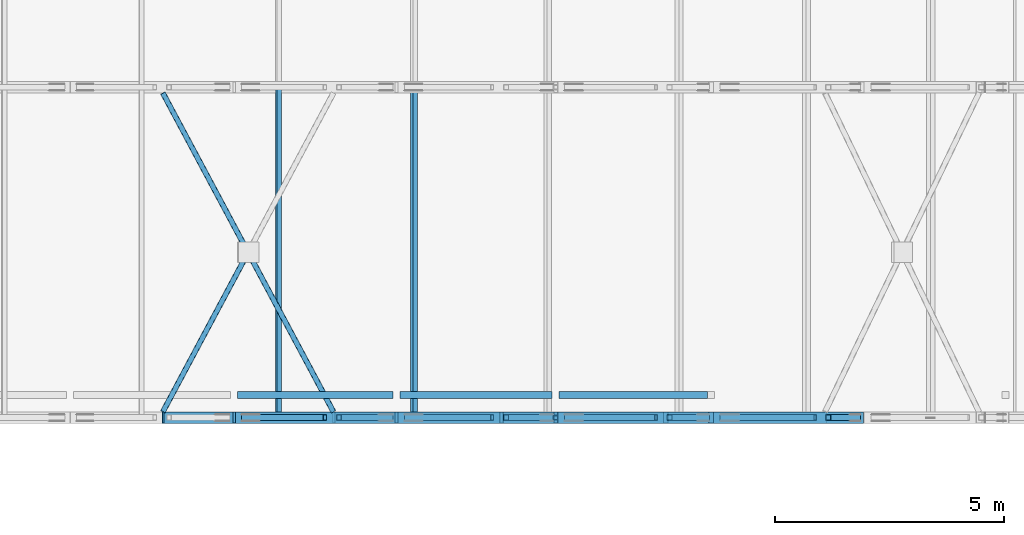
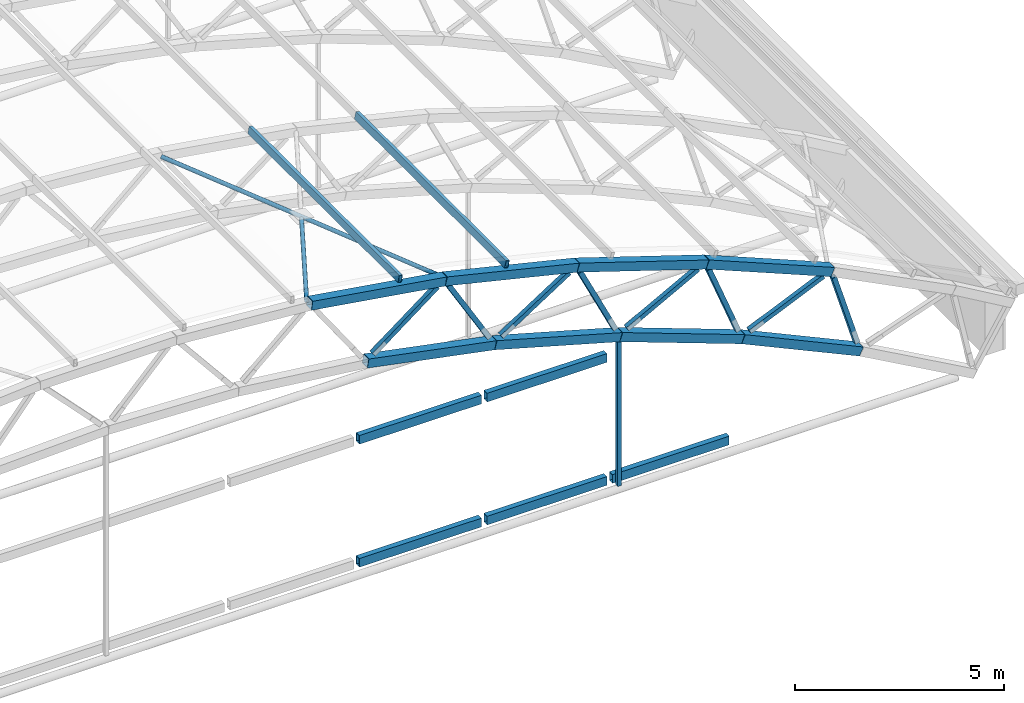
# One storey, part 16 of 127: 21 members, 5 beams.
"""IFC4 building model written with IfcOpenShell, lengths in metres."""

from ifc_helpers import new_model, si_unit, direction, frame, origin, origin_2d, place, context, subcontext, project, spatial, hollow_rectangle, hollow_circle, extrude, material, material_profile, profile_set, type_object, element, save


model = new_model("IFC4")

# Units and contexts
model_context = context("Model", 3, precision=1e-05, world=origin(), true_north=direction((0.0, 1.0)))
body_context = subcontext(model_context, "Body", "Model", "MODEL_VIEW")
ifc_project = project(units=[si_unit("LENGTHUNIT", "METRE"), si_unit("AREAUNIT", "SQUARE_METRE"), si_unit("VOLUMEUNIT", "CUBIC_METRE"), si_unit("PLANEANGLEUNIT", "RADIAN"), si_unit("MASSUNIT", "GRAM", prefix="KILO")], contexts=[model_context])

# Site, building, storey
site_placement = place(None, origin())
site = spatial("IfcSite", under=ifc_project, at=site_placement, CompositionType="ELEMENT")
building_placement = place(site_placement, origin())
building = spatial("IfcBuilding", under=site, at=building_placement, Name="Verrick Yard Athletic Hall", CompositionType="ELEMENT")
storey_placement = place(building_placement, frame((0.0, 0.0, 14.0)))
storey = spatial("IfcBuildingStorey", under=building, at=storey_placement, Name="L03", CompositionType="ELEMENT", Elevation=14.0)

# Members
ifc_material = material(Name="Structural steel HSS Class C 350W (CSA G40.20/G40.21)", Category="steel")
ifc_material_profile_1 = material_profile(ifc_material, hollow_rectangle(XDim=0.25390625, YDim=0.25390625, WallThickness=0.009521484375, at=origin_2d()), Name="HSS254x254x9.5")
ifc_profile_set_1 = profile_set([ifc_material_profile_1], Name="Structural steel HSS Class C 350W (CSA G40.20/G40.21)")
member_type_1 = type_object("IfcMemberType", Name="HB bottom chord HSS254x254x9.5", PredefinedType="CHORD", material=ifc_profile_set_1)
member_1_placement = place(storey_placement, frame((59.189208984375, 72.0, 6.191650390625), z_axis=(0.980848695375, 0.0, -0.194771242181), x_axis=(0.0, 1.0, 0.0)))
element("IfcMember", 1, at=member_1_placement, inside=storey, type_object=member_type_1, Name="Truss TB1 bottom chord 10", PredefinedType="CHORD", context=body_context, shape_type="SweptSolid", body=[
    extrude(hollow_rectangle(XDim=0.25390625, YDim=0.25390625, WallThickness=0.009521484375, at=origin_2d()), origin(), (0.0, 0.0, 1.0), 3.59619140625),
])
for number, where, z_axis, x_axis, name in (
    (2, (62.726318359375, 72.0, 5.489013671875), (0.962572378456, 0.0, -0.271024752066), (0.0, 1.0, 0.0), "Truss TB1 bottom chord 11"),
    (3, (66.197265625, 72.0, 4.51123046875), (0.938394107905, 0.0, -0.345566922966), (0.0, 1.0, 0.0), "Truss TB1 bottom chord 12"),
):
    element("IfcMember", number, at=place(storey_placement, frame(where, z_axis=z_axis, x_axis=x_axis)), inside=storey, type_object=member_type_1, Name=name, PredefinedType="CHORD", context=body_context, shape_type="SweptSolid", body=[
        extrude(hollow_rectangle(XDim=0.25390625, YDim=0.25390625, WallThickness=0.009521484375, at=origin_2d()), origin(), (0.0, 0.0, 1.0), 3.595947265625),
    ])
member_2_placement = place(storey_placement, frame((69.580810546875, 72.0, 3.2646484375), z_axis=(0.908445597889, 0.0, -0.418003104865), x_axis=(0.0, 1.0, 0.0)))
element("IfcMember", 4, at=member_2_placement, inside=storey, type_object=member_type_1, Name="Truss TB1 bottom chord 13", PredefinedType="CHORD", context=body_context, shape_type="SweptSolid", body=[
    extrude(hollow_rectangle(XDim=0.25390625, YDim=0.25390625, WallThickness=0.009521484375, at=origin_2d()), origin(), (0.0, 0.0, 1.0), 3.59619140625),
])
ifc_material_profile_2 = material_profile(ifc_material, hollow_rectangle(XDim=0.1015625, YDim=0.203125, WallThickness=0.009521484375, at=origin_2d()), Name="HSS203x102x9.5")
ifc_profile_set_2 = profile_set([ifc_material_profile_2], Name="Structural steel HSS Class C 350W (CSA G40.20/G40.21)")
member_type_2 = type_object("IfcMemberType", Name="HB purlin HSS203x102x9.5", PredefinedType="PURLIN", material=ifc_profile_set_2)
for number, where, z_axis, x_axis, name in (
    (5, (60.153076171875, 72.0, 8.258544921875), (0.0, 1.0, 0.0), (-0.987728086354, 0.0, 0.156183313539), "HB-PU-B-1-12"),
    (6, (63.10693359375, 72.0, 7.651611328125), (0.0, 1.0, 0.0), (-0.972458956474, 0.0, 0.23307418985), "HB-PU-B-1-13"),
):
    element("IfcMember", number, at=place(storey_placement, frame(where, z_axis=z_axis, x_axis=x_axis)), inside=storey, type_object=member_type_2, Name=name, PredefinedType="PURLIN", context=body_context, shape_type="SweptSolid", body=[
        extrude(hollow_rectangle(XDim=0.1015625, YDim=0.203125, WallThickness=0.009521484375, at=origin_2d()), origin(), (0.0, 0.0, 1.0), 7.199951171875),
    ])
ifc_material_profile_3 = material_profile(ifc_material, hollow_circle(Radius=0.05712890625, WallThickness=0.00634765625, at=origin_2d()), Name="HSS114x6.4")
ifc_profile_set_3 = profile_set([ifc_material_profile_3], Name="Structural steel HSS Class C 350W (CSA G40.20/G40.21)")
member_type_3 = type_object("IfcMemberType", Name="HB roof brace HSS114x6.4", PredefinedType="BRACE", material=ifc_profile_set_3)
member_3_placement = place(storey_placement, frame((57.6328125, 72.126953125, 8.425537109375), z_axis=(0.470445063163, 0.879290273292, -0.074364358661), x_axis=(-0.881731666792, 0.471751277451, 0.0)))
element("IfcMember", 7, at=member_3_placement, inside=storey, type_object=member_type_3, Name="HB-BR-B-1-8b1", PredefinedType="BRACE", context=body_context, shape_type="SweptSolid", body=[
    extrude(hollow_circle(Radius=0.05712890625, WallThickness=0.00634765625, at=origin_2d()), origin(), (0.0, 0.0, 1.0), 3.844482421875),
])
member_4_placement = place(storey_placement, frame((61.349365234375, 72.126953125, 7.837890625), z_axis=(-0.470466174635, 0.87927695819, 0.074388233748), x_axis=(-0.881719889133, -0.471773289947, 0.0)))
element("IfcMember", 8, at=member_4_placement, inside=storey, type_object=member_type_3, Name="HB-BR-B-1-8a", PredefinedType="BRACE", context=body_context, shape_type="SweptSolid", body=[
    extrude(hollow_circle(Radius=0.05712890625, WallThickness=0.00634765625, at=origin_2d()), origin(), (0.0, 0.0, 1.0), 7.899658203125),
])
ifc_material_profile_4 = material_profile(ifc_material, hollow_rectangle(XDim=0.25390625, YDim=0.25390625, WallThickness=0.009521484375, at=origin_2d()), Name="HSS254x254x9.5")
ifc_profile_set_4 = profile_set([ifc_material_profile_4], Name="Structural steel HSS Class C 350W (CSA G40.20/G40.21)")
member_type_4 = type_object("IfcMemberType", Name="HB top chord HSS254x254x9.5", PredefinedType="CHORD", material=ifc_profile_set_4)
member_5_placement = place(storey_placement, frame((57.6376953125, 72.0, 8.4248046875), z_axis=(0.987726014692, 0.0, -0.156196414495), x_axis=(0.0, 1.0, 0.0)))
element("IfcMember", 9, at=member_5_placement, inside=storey, type_object=member_type_4, Name="Truss TB1 top chord 10", PredefinedType="CHORD", context=body_context, shape_type="SweptSolid", body=[
    extrude(hollow_rectangle(XDim=0.25390625, YDim=0.25390625, WallThickness=0.009521484375, at=origin_2d()), origin(), (0.0, 0.0, 1.0), 3.7529296875),
])
for number, where, z_axis, x_axis, name in (
    (10, (61.354248046875, 72.0, 7.836669921875), (0.972453991168, 0.0, -0.233094905697), (0.0, 1.0, 0.0), "Truss TB1 top chord 11"),
    (11, (65.013427734375, 72.0, 6.959228515625), (0.951202693453, 0.0, -0.308566744754), (0.0, 1.0, 0.0), "Truss TB1 top chord 12"),
    (12, (68.592529296875, 72.0, 5.7978515625), (0.924130129149, 0.0, -0.382077877402), (0.0, 1.0, 0.0), "Truss TB1 top chord 13"),
):
    element("IfcMember", number, at=place(storey_placement, frame(where, z_axis=z_axis, x_axis=x_axis)), inside=storey, type_object=member_type_4, Name=name, PredefinedType="CHORD", context=body_context, shape_type="SweptSolid", body=[
        extrude(hollow_rectangle(XDim=0.25390625, YDim=0.25390625, WallThickness=0.009521484375, at=origin_2d()), origin(), (0.0, 0.0, 1.0), 3.752685546875),
    ])
ifc_material_profile_5 = material_profile(ifc_material, hollow_rectangle(XDim=0.1015625, YDim=0.1015625, WallThickness=0.00634765625, at=origin_2d()), Name="HSS102x102x6.4")
ifc_profile_set_5 = profile_set([ifc_material_profile_5], Name="Structural steel HSS Class C 350W (CSA G40.20/G40.21)")
member_type_5 = type_object("IfcMemberType", Name="HB truss hanger HSS102x102x6.4", PredefinedType="MEMBER", material=ifc_profile_set_5)
member_6_placement = place(storey_placement, frame((66.192626953125, 72.0, 4.35888671875), z_axis=(0.0, 0.0, -1.0), x_axis=(0.0, -1.0, 0.0)))
element("IfcMember", 13, at=member_6_placement, inside=storey, type_object=member_type_5, Name="Truss TB1 hanger 3", PredefinedType="MEMBER", context=body_context, shape_type="SweptSolid", body=[
    extrude(hollow_rectangle(XDim=0.1015625, YDim=0.1015625, WallThickness=0.00634765625, at=origin_2d()), origin(), (0.0, 0.0, 1.0), 4.249267578125),
])
ifc_material_profile_6 = material_profile(ifc_material, hollow_rectangle(XDim=0.126953125, YDim=0.126953125, WallThickness=0.009521484375, at=origin_2d()), Name="HSS127x127x9.5")
ifc_profile_set_6 = profile_set([ifc_material_profile_6], Name="Structural steel HSS Class C 350W (CSA G40.20/G40.21)")
member_type_6 = type_object("IfcMemberType", Name="HB truss web HSS127x127x9.5", PredefinedType="BRACE", material=ifc_profile_set_6)
member_7_placement = place(storey_placement, frame((59.382568359375, 72.0, 6.34326171875), z_axis=(0.796206425538, 0.0, 0.605025063887), x_axis=(0.0, 1.0, 0.0)))
element("IfcMember", 14, at=member_7_placement, inside=storey, type_object=member_type_6, Name="Truss TB1 web 19", PredefinedType="BRACE", context=body_context, shape_type="SweptSolid", body=[
    extrude(hollow_rectangle(XDim=0.126953125, YDim=0.126953125, WallThickness=0.009521484375, at=origin_2d()), origin(), (0.0, 0.0, 1.0), 2.2333984375),
])
for number, where, z_axis, x_axis, name in (
    (15, (61.46875, 72.0, 7.633544921875), (0.504625153938, 0.0, -0.863338551214), (0.0, 1.0, 0.0), "Truss TB1 web 20"),
    (16, (62.9306640625, 72.0, 5.624755859375), (0.841118094735, 0.0, 0.54085150523), (0.0, 1.0, 0.0), "Truss TB1 web 21"),
    (17, (65.111572265625, 72.0, 6.74755859375), (0.435458074734, 0.0, -0.900209011924), (0.0, 1.0, 0.0), "Truss TB1 web 22"),
    (18, (66.41162109375, 72.0, 4.630615234375), (0.880902446091, 0.0, 0.473297877103), (0.0, 1.0, 0.0), "Truss TB1 web 23"),
    (19, (68.673828125, 72.0, 5.579345703125), (0.363632709383, 0.0, -0.93154240519), (0.0, 1.0, 0.0), "Truss TB1 web 24"),
    (20, (69.803955078125, 72.0, 3.366943359375), (0.915297302882, 0.0, 0.402778906272), (0.0, 1.0, 0.0), "Truss TB1 web 25"),
    (21, (72.1337890625, 72.0, 4.135498046875), (0.289443070658, 0.0, -0.957195230268), (0.0, 1.0, 0.0), "Truss TB1 web 26"),
):
    element("IfcMember", number, at=place(storey_placement, frame(where, z_axis=z_axis, x_axis=x_axis)), inside=storey, type_object=member_type_6, Name=name, PredefinedType="BRACE", context=body_context, shape_type="SweptSolid", body=[
        extrude(hollow_rectangle(XDim=0.126953125, YDim=0.126953125, WallThickness=0.009521484375, at=origin_2d()), origin(), (0.0, 0.0, 1.0), 2.233642578125),
    ])

# Beams
ifc_material_profile_7 = material_profile(ifc_material, hollow_rectangle(XDim=0.15234375, YDim=0.25390625, WallThickness=0.009521484375, at=origin_2d()), Name="HSS254x152x9.5")
ifc_profile_set_7 = profile_set([ifc_material_profile_7], Name="Structural steel HSS Class C 350W (CSA G40.20/G40.21)")
beam_type = type_object("IfcBeamType", Name="HB wind girder HSS254x152x9.5", PredefinedType="BEAM", material=ifc_profile_set_7)
beam_1_placement = place(storey_placement, frame((59.2607421875, 72.49462890625, 0.0), z_axis=(1.0, 0.0, 0.0), x_axis=(0.0, 1.0, 0.0)))
element("IfcBeam", 22, at=beam_1_placement, inside=storey, type_object=beam_type, Name="HB-WG-BS-140-7", PredefinedType="BEAM", context=body_context, shape_type="SweptSolid", body=[
    extrude(hollow_rectangle(XDim=0.15234375, YDim=0.25390625, WallThickness=0.009521484375, at=origin_2d()), origin(), (0.0, 0.0, 1.0), 3.384521484375),
])
beam_2_placement = place(storey_placement, frame((62.797607421875, 72.49462890625, 0.0), z_axis=(1.0, 0.0, 0.0), x_axis=(0.0, 1.0, 0.0)))
element("IfcBeam", 23, at=beam_2_placement, inside=storey, type_object=beam_type, Name="HB-WG-BS-140-8", PredefinedType="BEAM", context=body_context, shape_type="SweptSolid", body=[
    extrude(hollow_rectangle(XDim=0.15234375, YDim=0.25390625, WallThickness=0.009521484375, at=origin_2d()), origin(), (0.0, 0.0, 1.0), 3.318603515625),
])
beam_3_placement = place(storey_placement, frame((66.268798828125, 72.49462890625, 0.0), z_axis=(1.0, 0.0, 0.0), x_axis=(0.0, 1.0, 0.0)))
element("IfcBeam", 24, at=beam_3_placement, inside=storey, type_object=beam_type, Name="HB-WG-BS-140-9", PredefinedType="BEAM", context=body_context, shape_type="SweptSolid", body=[
    extrude(hollow_rectangle(XDim=0.15234375, YDim=0.25390625, WallThickness=0.009521484375, at=origin_2d()), origin(), (0.0, 0.0, 1.0), 3.2314453125),
])
beam_4_placement = place(storey_placement, frame((59.2607421875, 72.49462890625, 3.60009765625), z_axis=(1.0, 0.0, 0.0), x_axis=(0.0, 1.0, 0.0)))
element("IfcBeam", 25, at=beam_4_placement, inside=storey, type_object=beam_type, Name="HB-WG-BS-176-6", PredefinedType="BEAM", context=body_context, shape_type="SweptSolid", body=[
    extrude(hollow_rectangle(XDim=0.15234375, YDim=0.25390625, WallThickness=0.009521484375, at=origin_2d()), origin(), (0.0, 0.0, 1.0), 3.384521484375),
])
beam_5_placement = place(storey_placement, frame((62.797607421875, 72.49462890625, 3.60009765625), z_axis=(1.0, 0.0, 0.0), x_axis=(0.0, 1.0, 0.0)))
element("IfcBeam", 26, at=beam_5_placement, inside=storey, type_object=beam_type, Name="HB-WG-BS-176-7", PredefinedType="BEAM", context=body_context, shape_type="SweptSolid", body=[
    extrude(hollow_rectangle(XDim=0.15234375, YDim=0.25390625, WallThickness=0.009521484375, at=origin_2d()), origin(), (0.0, 0.0, 1.0), 3.318603515625),
])

save(model, "model.ifc")
